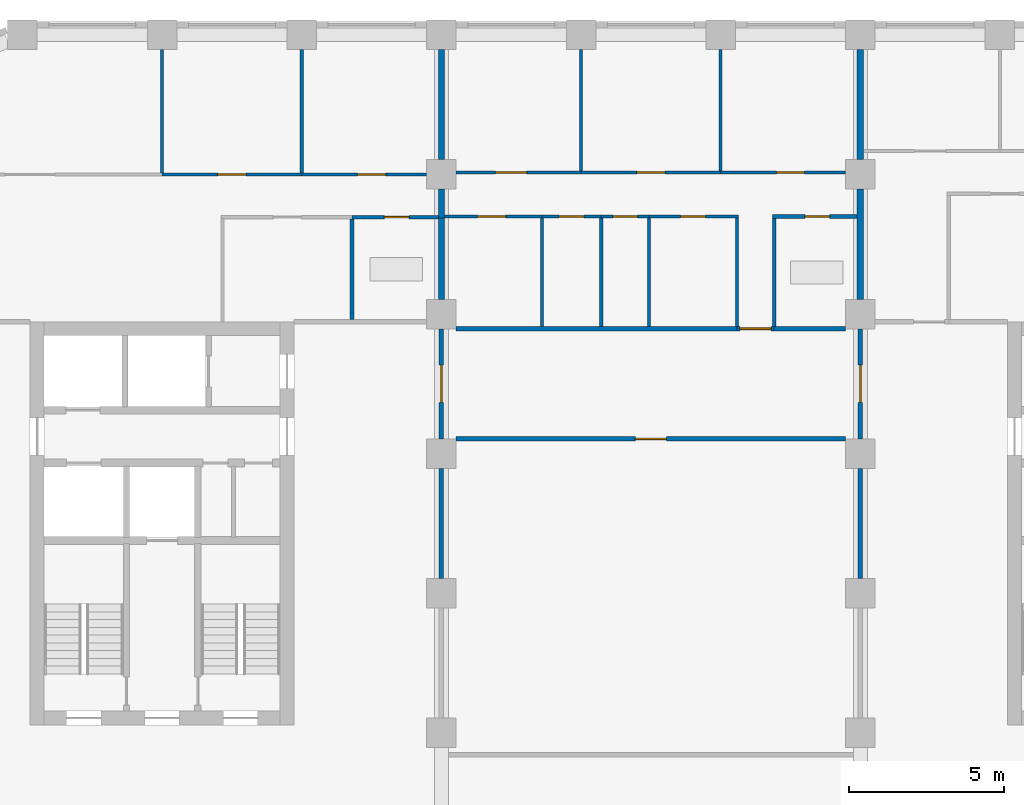
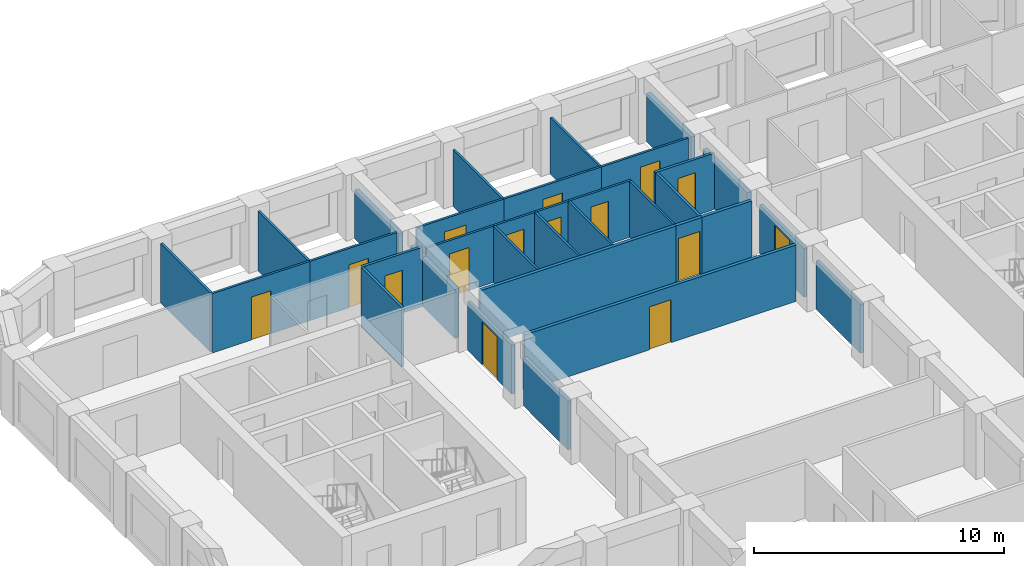
# One storey, part 7 of 13: 34 walls, 15 doors, 15 openings.
"""IFC4 building model written with IfcOpenShell, lengths in metres."""

import ifcopenshell
import ifcopenshell.guid

model = None  # the IFC model being written
_history = None  # IfcOwnerHistory: only IFC2X3 demands one
_inside = {}  # id of a spatial element -> (the spatial element, [elements in it])
_under = {}  # id of a project, library or spatial element -> (it, [spatial elements below it])
_declared = {}  # id of a project -> (the project, [libraries it declares])
_typed = {}  # id of a type object -> (the type object, [elements of that type])
_made_of = {}  # id of a material, layer set ... -> (it, [elements and type objects made of it])


def new_model(schema):
    """Start an empty IFC model of exactly this schema.

    Asked for "IFC4X3", IfcOpenShell would pick the latest addendum, in which some entities
    have other attributes; the version numbers below select the first issue.
    IFC2X3 requires an IfcOwnerHistory on every rooted entity: one is made here for all.
    """
    global model, _history
    if schema == "IFC4X3":
        model = ifcopenshell.file(schema_version=(4, 3, 0, 0))
    else:
        model = ifcopenshell.file(schema=schema)
    _inside.clear()
    _under.clear()
    _declared.clear()
    _typed.clear()
    _made_of.clear()
    _history = None
    if model.schema == "IFC2X3":
        org = make("IfcOrganization", Name="unknown")
        user = make(
            "IfcPersonAndOrganization",
            ThePerson=make("IfcPerson", FamilyName="unknown"),
            TheOrganization=org,
        )
        app = make(
            "IfcApplication",
            ApplicationDeveloper=org,
            Version="unknown",
            ApplicationFullName="unknown",
            ApplicationIdentifier="unknown",
        )
        _history = make(
            "IfcOwnerHistory",
            OwningUser=user,
            OwningApplication=app,
            ChangeAction="ADDED",
            CreationDate=0,
        )
    return model


def make(cls, **values):
    """One entity of the class cls with the attributes given. An attribute that is None is left unset."""
    return model.create_entity(
        cls, **{name: value for name, value in values.items() if value is not None}
    )


def rooted(cls, **values):
    """An entity with a GlobalId (a new one), such as an element, a storey or a relation."""
    return make(cls, GlobalId=ifcopenshell.guid.new(), OwnerHistory=_history, **values)


def si_unit(unit_type, name, prefix=None):
    """IfcSIUnit, for example si_unit("LENGTHUNIT", "METRE", prefix="MILLI")."""
    return make("IfcSIUnit", UnitType=unit_type, Prefix=prefix, Name=name)


def assignment(units):
    """IfcUnitAssignment: the units of a project."""
    return None if units is None else make("IfcUnitAssignment", Units=units)


def point(xyz):
    """IfcCartesianPoint."""
    return None if xyz is None else make("IfcCartesianPoint", Coordinates=xyz)


def direction(xyz):
    """IfcDirection."""
    return None if xyz is None else make("IfcDirection", DirectionRatios=xyz)


def frame(location, z_axis=None, x_axis=None):
    """IfcAxis2Placement3D, a coordinate frame: its origin and axes. An axis left out is left unset."""
    return make(
        "IfcAxis2Placement3D",
        Location=point(location),
        Axis=direction(z_axis),
        RefDirection=direction(x_axis),
    )


def frame_2d(location, x_axis=None):
    """IfcAxis2Placement2D, a coordinate frame in the plane: its origin and x axis."""
    return make(
        "IfcAxis2Placement2D", Location=point(location), RefDirection=direction(x_axis)
    )


def origin():
    """The frame at (0, 0, 0) with its axes left unset."""
    return frame((0.0, 0.0, 0.0))


def place(relative_to, where):
    """IfcLocalPlacement: puts the frame where relative to a parent placement (None: the world)."""
    return make(
        "IfcLocalPlacement", PlacementRelTo=relative_to, RelativePlacement=where
    )


def context(
    kind, dimensions, precision=None, world=None, true_north=None, identifier=None
):
    """IfcGeometricRepresentationContext, for example the 3D "Model" context."""
    return make(
        "IfcGeometricRepresentationContext",
        ContextIdentifier=identifier,
        ContextType=kind,
        CoordinateSpaceDimension=dimensions,
        Precision=precision,
        WorldCoordinateSystem=world,
        TrueNorth=true_north,
    )


def subcontext(parent, identifier, kind, view, scale=None):
    """IfcGeometricRepresentationSubContext, for example "Body" below "Model"."""
    return make(
        "IfcGeometricRepresentationSubContext",
        ContextIdentifier=identifier,
        ContextType=kind,
        ParentContext=parent,
        TargetScale=scale,
        TargetView=view,
    )


def project(units=None, contexts=None):
    """IfcProject with its units and contexts."""
    return rooted(
        "IfcProject",
        Name="project",
        RepresentationContexts=contexts,
        UnitsInContext=assignment(units),
    )


def spatial(cls, under=None, at=None, **own):
    """A site, building, storey or space (cls), placed at a placement, below another one or the project."""
    s = rooted(cls, ObjectPlacement=at, **own)
    if under is not None:
        _under.setdefault(under.id(), (under, []))[1].append(s)
    return s


def profile(cls, at=None, kind="AREA", **sizes):
    """A parametric profile (cls). Its sizes go by their IFC names, for example OverallWidth=200.0."""
    return make(cls, ProfileType=kind, Position=at, **sizes)


def rectangle(**sizes):
    """IfcRectangleProfileDef."""
    return profile("IfcRectangleProfileDef", **sizes)


def extrude(swept, where, along, depth):
    """IfcExtrudedAreaSolid: the profile swept, set in the frame where, extruded along a direction by depth."""
    return make(
        "IfcExtrudedAreaSolid",
        SweptArea=swept,
        Position=where,
        ExtrudedDirection=direction(along),
        Depth=depth,
    )


def shape(context_of_items, identifier, shape_type, items):
    """IfcShapeRepresentation: the items that make up one representation, for example the "Body"."""
    return make(
        "IfcShapeRepresentation",
        ContextOfItems=context_of_items,
        RepresentationIdentifier=identifier,
        RepresentationType=shape_type,
        Items=items,
    )


def material(Name=None, Category=None):
    """IfcMaterial."""
    return make("IfcMaterial", Name=Name, Category=Category)


def layer(
    of_material, thickness, ventilated=None, Name=None, Category=None, Priority=None
):
    """IfcMaterialLayer: one layer of a wall or slab, of a material (None: an air gap)."""
    return make(
        "IfcMaterialLayer",
        Material=of_material,
        LayerThickness=thickness,
        IsVentilated=ventilated,
        Name=Name,
        Category=Category,
        Priority=Priority,
    )


def layer_set(layers, Name=None):
    """IfcMaterialLayerSet."""
    return make("IfcMaterialLayerSet", MaterialLayers=layers, LayerSetName=Name)


def made_of(thing, what):
    """Note that an element or type object is made of a material, layer set ...; save() writes the relation."""
    if what is not None:
        _made_of.setdefault(what.id(), (what, []))[1].append(thing)
    return thing


def type_object(cls, material=None, **own):
    """A type object (cls), such as IfcWallType, which elements share."""
    return made_of(rooted(cls, **own), material)


def element(
    cls,
    number,
    at=None,
    inside=None,
    cuts=None,
    type_object=None,
    material=None,
    context=None,
    identifier="Body",
    shape_type=None,
    held_by="IfcProductDefinitionShape",
    body=None,
    shapes=None,
    **own,
):
    """One element of the class cls, such as IfcWall. Its Tag is "e" and its number.

    at: its placement. inside: the storey or other place that contains it. cuts: it is an
    opening in that element (IfcRelVoidsElement). A single representation is given by context,
    identifier, shape_type and body (its items); several are given by shapes. held_by: the class
    of the entity that holds the representations. save() writes the other relations.
    """
    e = rooted(cls, Tag="e%d" % number, ObjectPlacement=at, **own)
    if body is not None:
        shapes = [shape(context, identifier, shape_type, body)]
    if shapes is not None:
        e.Representation = make(held_by, Representations=shapes)
    if inside is not None:
        _inside.setdefault(inside.id(), (inside, []))[1].append(e)
    if cuts is not None:
        rooted(
            "IfcRelVoidsElement", RelatingBuildingElement=cuts, RelatedOpeningElement=e
        )
    if type_object is not None:
        _typed.setdefault(type_object.id(), (type_object, []))[1].append(e)
    return made_of(e, material)


def fill(opening, filler):
    """IfcRelFillsElement: the door or window that sits in an opening."""
    return rooted(
        "IfcRelFillsElement",
        RelatingOpeningElement=opening,
        RelatedBuildingElement=filler,
    )


def aggregate(whole, parts):
    """IfcRelAggregates: a whole, such as a stair, and the parts it consists of."""
    return rooted("IfcRelAggregates", RelatingObject=whole, RelatedObjects=parts)


def save(model, path):
    """Write the relations noted so far, then the file.

    IfcRelAggregates (storeys below a building ...), IfcRelContainedInSpatialStructure (elements
    in a storey), IfcRelDefinesByType, IfcRelAssociatesMaterial and IfcRelDeclares: one each for
    every whole, place, type object, material and project.
    """
    for whole, parts in _under.values():
        aggregate(whole, parts)
    for where, things in _inside.values():
        rooted(
            "IfcRelContainedInSpatialStructure",
            RelatedElements=things,
            RelatingStructure=where,
        )
    for kind, things in _typed.values():
        rooted("IfcRelDefinesByType", RelatedObjects=things, RelatingType=kind)
    for what, things in _made_of.values():
        rooted("IfcRelAssociatesMaterial", RelatedObjects=things, RelatingMaterial=what)
    for by, libraries in _declared.values():
        rooted("IfcRelDeclares", RelatingContext=by, RelatedDefinitions=libraries)
    model.write(path)


model = new_model("IFC4")

# Units and contexts
model_context = context("Model", 3, precision=1e-05, world=origin(), true_north=direction((0.0, 1.0)))
body_context = subcontext(model_context, "Body", "Model", "MODEL_VIEW")
ifc_project = project(units=[si_unit("LENGTHUNIT", "METRE"), si_unit("AREAUNIT", "SQUARE_METRE"), si_unit("VOLUMEUNIT", "CUBIC_METRE"), si_unit("PLANEANGLEUNIT", "RADIAN"), si_unit("MASSUNIT", "GRAM", prefix="KILO")], contexts=[model_context])

# Site, building, storey
site_placement = place(None, origin())
site = spatial("IfcSite", under=ifc_project, at=site_placement, CompositionType="ELEMENT")
building_placement = place(site_placement, origin())
building = spatial("IfcBuilding", under=site, at=building_placement, Name="Girih Gate Residences", CompositionType="ELEMENT")
storey_placement = place(building_placement, frame((0.0, 0.0, 133.39990234375)))
storey = spatial("IfcBuildingStorey", under=building, at=storey_placement, Name="L37", CompositionType="ELEMENT", Elevation=133.39990234375)

# Wall
ifc_material_1 = material(Name="Gypsum board on steel studs", Category="steel")
ifc_layer_1 = layer(ifc_material_1, 0.14990234375)
ifc_layer_set_1 = layer_set([ifc_layer_1], Name="Compartment wall 150 mm")
wall_type_1 = type_object("IfcWallType", Name="Compartment wall 150 mm", PredefinedType="PARTITIONING", material=ifc_layer_set_1)
wall_1_placement = place(storey_placement, frame((28.72509765625, 40.02490234375, 0.0), z_axis=(0.0, 0.0, 1.0), x_axis=(1.0, 0.0, 0.0)))
element("IfcWall", 1, at=wall_1_placement, inside=storey, type_object=wall_type_1, Name="L37 partition", PredefinedType="PARTITIONING", context=body_context, shape_type="SweptSolid", body=[
    extrude(rectangle(XDim=2.2998046875, YDim=0.14990234375, at=frame_2d((1.14990234375, 0.0))), origin(), (0.0, 0.0, 1.0), 2.75),
])

# Wall, opening, door
wall_2_placement = place(storey_placement, frame((27.52490234375, 40.02490234375, 0.0), z_axis=(0.0, 0.0, 1.0), x_axis=(1.0, 0.0, 0.0)))
wall_2 = element("IfcWall", 2, at=wall_2_placement, inside=storey, type_object=wall_type_1, Name="L37 partition", PredefinedType="PARTITIONING", context=body_context, shape_type="SweptSolid", body=[
    extrude(rectangle(XDim=1.2001953125, YDim=0.14990234375, at=frame_2d((0.60009765625, 0.0))), origin(), (0.0, 0.0, 1.0), 2.75),
])
opening_1_placement = place(wall_2_placement, frame((0.10009765625, 0.0, 0.0)))
opening_1 = element("IfcOpeningElement", 3, at=opening_1_placement, cuts=wall_2, Name="Opening A37-045", PredefinedType="OPENING", context=body_context, shape_type="SweptSolid", body=[
    extrude(rectangle(XDim=1.0, YDim=2.10009765625, at=frame_2d((0.5, 1.050048828125))), frame((0.0, 0.0849609375, 0.0), z_axis=(0.0, -1.0, 0.0), x_axis=(1.0, 0.0, 0.0)), (0.0, 0.0, 1.0), 0.169921875),
])
ifc_material_2 = material(Name="Timber, fire-rated core", Category="wood")
door_type_1 = type_object("IfcDoorType", Name="Flat entrance door 1000x2100 FD30S", OperationType="NOTDEFINED", PredefinedType="DOOR", material=ifc_material_2)
door_1_placement = place(opening_1_placement, origin())
door_1 = element("IfcDoor", 4, at=door_1_placement, inside=storey, type_object=door_type_1, Name="Door A37-045", OperationType="SINGLE_SWING_RIGHT", OverallHeight=2.10009765625, OverallWidth=1.0, PredefinedType="DOOR", context=body_context, shape_type="SweptSolid", body=[
    extrude(rectangle(XDim=1.0, YDim=2.10009765625, at=frame_2d((0.5, 1.050048828125))), frame((0.0, 0.02490234375, 0.0), z_axis=(0.0, -1.0, 0.0), x_axis=(1.0, 0.0, 0.0)), (0.0, 0.0, 1.0), 0.050048828125),
])
fill(opening_1, door_1)

# Wall
wall_3_placement = place(storey_placement, frame((18.47509765625, 40.02490234375, 0.0), z_axis=(0.0, 0.0, 1.0), x_axis=(1.0, 0.0, 0.0)))
element("IfcWall", 5, at=wall_3_placement, inside=storey, type_object=wall_type_1, Name="L37 partition", PredefinedType="PARTITIONING", context=body_context, shape_type="SweptSolid", body=[
    extrude(rectangle(XDim=9.0498046875, YDim=0.14990234375, at=frame_2d((4.52490234375, 0.0))), origin(), (0.0, 0.0, 1.0), 2.75),
])

# Wall, opening, door
wall_4_placement = place(storey_placement, frame((31.02490234375, 36.47509765625, 0.0), z_axis=(0.0, 0.0, 1.0), x_axis=(-1.0, 0.0, 0.0)))
wall_4 = element("IfcWall", 6, at=wall_4_placement, inside=storey, type_object=wall_type_1, Name="L37 partition", PredefinedType="PARTITIONING", context=body_context, shape_type="SweptSolid", body=[
    extrude(rectangle(XDim=12.5498046875, YDim=0.14990234375, at=frame_2d((6.27490234375, 0.0))), origin(), (0.0, 0.0, 1.0), 2.75),
])
opening_2_placement = place(wall_4_placement, frame((5.77490234375, 0.0, 0.0)))
opening_2 = element("IfcOpeningElement", 7, at=opening_2_placement, cuts=wall_4, Name="Opening A37-046", PredefinedType="OPENING", context=body_context, shape_type="SweptSolid", body=[
    extrude(rectangle(XDim=1.0, YDim=2.10009765625, at=frame_2d((0.5, 1.050048828125))), frame((0.0, 0.0849609375, 0.0), z_axis=(0.0, -1.0, 0.0), x_axis=(1.0, 0.0, 0.0)), (0.0, 0.0, 1.0), 0.169921875),
])
door_type_2 = type_object("IfcDoorType", Name="Amenity room door 1000x2100 FD30S", OperationType="NOTDEFINED", PredefinedType="DOOR", material=ifc_material_2)
door_2_placement = place(opening_2_placement, origin())
door_2 = element("IfcDoor", 8, at=door_2_placement, inside=storey, type_object=door_type_2, Name="Door A37-046", OperationType="SINGLE_SWING_RIGHT", OverallHeight=2.10009765625, OverallWidth=1.0, PredefinedType="DOOR", context=body_context, shape_type="SweptSolid", body=[
    extrude(rectangle(XDim=1.0, YDim=2.10009765625, at=frame_2d((0.5, 1.050048828125))), frame((0.0, 0.02490234375, 0.0), z_axis=(0.0, -1.0, 0.0), x_axis=(1.0, 0.0, 0.0)), (0.0, 0.0, 1.0), 0.050048828125),
])
fill(opening_2, door_2)

wall_5_placement = place(storey_placement, frame((31.5, 36.47509765625, 0.0), z_axis=(0.0, 0.0, 1.0), x_axis=(0.0, 1.0, 0.0)))
wall_5 = element("IfcWall", 9, at=wall_5_placement, inside=storey, type_object=wall_type_1, Name="L37 partition", PredefinedType="PARTITIONING", context=body_context, shape_type="SweptSolid", body=[
    extrude(rectangle(XDim=3.5498046875, YDim=0.14990234375, at=frame_2d((1.77490234375, 0.0))), origin(), (0.0, 0.0, 1.0), 2.380126953125),
])
opening_3_placement = place(wall_5_placement, frame((1.175048828125, 0.0, 0.0)))
opening_3 = element("IfcOpeningElement", 10, at=opening_3_placement, cuts=wall_5, Name="Opening A37-047", PredefinedType="OPENING", context=body_context, shape_type="SweptSolid", body=[
    extrude(rectangle(XDim=1.199951171875, YDim=2.10009765625, at=frame_2d((0.60009765625, 1.050048828125))), frame((0.0, 0.0849609375, 0.0), z_axis=(0.0, -1.0, 0.0), x_axis=(1.0, 0.0, 0.0)), (0.0, 0.0, 1.0), 0.169921875),
])
door_type_3 = type_object("IfcDoorType", Name="Corridor fire door 1200x2100 FD30S", OperationType="NOTDEFINED", PredefinedType="DOOR", material=ifc_material_2)
door_3_placement = place(opening_3_placement, origin())
door_3 = element("IfcDoor", 11, at=door_3_placement, inside=storey, type_object=door_type_3, Name="Door A37-047", OperationType="SINGLE_SWING_LEFT", OverallHeight=2.10009765625, OverallWidth=1.199951171875, PredefinedType="DOOR", context=body_context, shape_type="SweptSolid", body=[
    extrude(rectangle(XDim=1.199951171875, YDim=2.10009765625, at=frame_2d((0.60009765625, 1.050048828125))), frame((0.0, 0.02490234375, 0.0), z_axis=(0.0, -1.0, 0.0), x_axis=(1.0, 0.0, 0.0)), (0.0, 0.0, 1.0), 0.050048828125),
])
fill(opening_3, door_3)

wall_6_placement = place(storey_placement, frame((18.0, 40.02490234375, 0.0), z_axis=(0.0, 0.0, 1.0), x_axis=(0.0, -1.0, 0.0)))
wall_6 = element("IfcWall", 12, at=wall_6_placement, inside=storey, type_object=wall_type_1, Name="L37 partition", PredefinedType="PARTITIONING", context=body_context, shape_type="SweptSolid", body=[
    extrude(rectangle(XDim=3.5498046875, YDim=0.14990234375, at=frame_2d((1.77490234375, 0.0))), origin(), (0.0, 0.0, 1.0), 2.380126953125),
])
opening_4_placement = place(wall_6_placement, frame((1.175048828125, 0.0, 0.0)))
opening_4 = element("IfcOpeningElement", 13, at=opening_4_placement, cuts=wall_6, Name="Opening A37-048", PredefinedType="OPENING", context=body_context, shape_type="SweptSolid", body=[
    extrude(rectangle(XDim=1.199951171875, YDim=2.10009765625, at=frame_2d((0.60009765625, 1.050048828125))), frame((0.0, 0.0849609375, 0.0), z_axis=(0.0, -1.0, 0.0), x_axis=(1.0, 0.0, 0.0)), (0.0, 0.0, 1.0), 0.169921875),
])
door_4_placement = place(opening_4_placement, origin())
door_4 = element("IfcDoor", 14, at=door_4_placement, inside=storey, type_object=door_type_3, Name="Door A37-048", OperationType="SINGLE_SWING_LEFT", OverallHeight=2.10009765625, OverallWidth=1.199951171875, PredefinedType="DOOR", context=body_context, shape_type="SweptSolid", body=[
    extrude(rectangle(XDim=1.199951171875, YDim=2.10009765625, at=frame_2d((0.60009765625, 1.050048828125))), frame((0.0, 0.02490234375, 0.0), z_axis=(0.0, -1.0, 0.0), x_axis=(1.0, 0.0, 0.0)), (0.0, 0.0, 1.0), 0.050048828125),
])
fill(opening_4, door_4)

# Walls
for number, where, z_axis, x_axis, name in (
    (15, (31.5, 31.97509765625, 0.0), (0.0, 0.0, 1.0), (0.0, 1.0, 0.0), "L37 partition"),
    (16, (18.0, 31.97509765625, 0.0), (0.0, 0.0, 1.0), (0.0, 1.0, 0.0), "L37 partition"),
):
    element("IfcWall", number, at=place(storey_placement, frame(where, z_axis=z_axis, x_axis=x_axis)), inside=storey, type_object=wall_type_1, Name=name, PredefinedType="PARTITIONING", context=body_context, shape_type="SweptSolid", body=[
        extrude(rectangle(XDim=3.5498046875, YDim=0.14990234375, at=frame_2d((1.77490234375, 0.0))), origin(), (0.0, 0.0, 1.0), 2.380126953125),
    ])
ifc_layer_2 = layer(ifc_material_1, 0.10009765625)
ifc_layer_set_2 = layer_set([ifc_layer_2], Name="Partition 100 mm")
wall_type_2 = type_object("IfcWallType", Name="Partition 100 mm", PredefinedType="PARTITIONING", material=ifc_layer_set_2)
wall_7_placement = place(storey_placement, frame((13.5, 45.050048828125, 0.0), z_axis=(0.0, 0.0, 1.0), x_axis=(0.0, 1.0, 0.0)))
element("IfcWall", 17, at=wall_7_placement, inside=storey, type_object=wall_type_2, Name="L37 partition", PredefinedType="PARTITIONING", context=body_context, shape_type="SweptSolid", body=[
    extrude(rectangle(XDim=3.974853515625, YDim=0.10009765625, at=frame_2d((1.9873046875, 0.0))), origin(), (0.0, 0.0, 1.0), 2.900146484375),
])

# Wall, opening, door
wall_8_placement = place(storey_placement, frame((9.0, 45.0, 0.0), z_axis=(0.0, 0.0, 1.0), x_axis=(1.0, 0.0, 0.0)))
wall_8 = element("IfcWall", 18, at=wall_8_placement, inside=storey, type_object=wall_type_2, Name="L37 partition", PredefinedType="PARTITIONING", context=body_context, shape_type="SweptSolid", body=[
    extrude(rectangle(XDim=4.5, YDim=0.10009765625, at=frame_2d((2.25, 0.0))), origin(), (0.0, 0.0, 1.0), 2.900146484375),
])
opening_5_placement = place(wall_8_placement, frame((1.800048828125, 0.0, 0.0)))
opening_5 = element("IfcOpeningElement", 19, at=opening_5_placement, cuts=wall_8, Name="Opening A37-012", PredefinedType="OPENING", context=body_context, shape_type="SweptSolid", body=[
    extrude(rectangle(XDim=0.89990234375, YDim=2.10009765625, at=frame_2d((0.449951171875, 1.050048828125))), frame((0.0, 0.06005859375, 0.0), z_axis=(0.0, -1.0, 0.0), x_axis=(1.0, 0.0, 0.0)), (0.0, 0.0, 1.0), 0.1201171875),
])
ifc_material_3 = material(Name="Timber", Category="wood")
door_type_4 = type_object("IfcDoorType", Name="Bedroom door 900x2100", OperationType="NOTDEFINED", PredefinedType="DOOR", material=ifc_material_3)
door_5_placement = place(opening_5_placement, origin())
door_5 = element("IfcDoor", 20, at=door_5_placement, inside=storey, type_object=door_type_4, Name="Door A37-012", OperationType="SINGLE_SWING_LEFT", OverallHeight=2.10009765625, OverallWidth=0.89990234375, PredefinedType="DOOR", context=body_context, shape_type="SweptSolid", body=[
    extrude(rectangle(XDim=0.89990234375, YDim=2.10009765625, at=frame_2d((0.449951171875, 1.050048828125))), frame((0.0, 0.02490234375, 0.0), z_axis=(0.0, -1.0, 0.0), x_axis=(1.0, 0.0, 0.0)), (0.0, 0.0, 1.0), 0.050048828125),
])
fill(opening_5, door_5)

# Wall
wall_9_placement = place(storey_placement, frame((9.0, 45.050048828125, 0.0), z_axis=(0.0, 0.0, 1.0), x_axis=(0.0, 1.0, 0.0)))
element("IfcWall", 21, at=wall_9_placement, inside=storey, type_object=wall_type_2, Name="L37 partition", PredefinedType="PARTITIONING", context=body_context, shape_type="SweptSolid", body=[
    extrude(rectangle(XDim=3.974853515625, YDim=0.10009765625, at=frame_2d((1.9873046875, 0.0))), origin(), (0.0, 0.0, 1.0), 2.900146484375),
])

# Wall, opening, door
wall_10_placement = place(storey_placement, frame((13.5, 45.0, 0.0), z_axis=(0.0, 0.0, 1.0), x_axis=(1.0, 0.0, 0.0)))
wall_10 = element("IfcWall", 22, at=wall_10_placement, inside=storey, type_object=wall_type_2, Name="L37 partition", PredefinedType="PARTITIONING", context=body_context, shape_type="SweptSolid", body=[
    extrude(rectangle(XDim=4.02490234375, YDim=0.10009765625, at=frame_2d((2.012451171875, 0.0))), origin(), (0.0, 0.0, 1.0), 2.900146484375),
])
opening_6_placement = place(wall_10_placement, frame((1.800048828125, 0.0, 0.0)))
opening_6 = element("IfcOpeningElement", 23, at=opening_6_placement, cuts=wall_10, Name="Opening A37-013", PredefinedType="OPENING", context=body_context, shape_type="SweptSolid", body=[
    extrude(rectangle(XDim=0.89990234375, YDim=2.10009765625, at=frame_2d((0.449951171875, 1.050048828125))), frame((0.0, 0.06005859375, 0.0), z_axis=(0.0, -1.0, 0.0), x_axis=(1.0, 0.0, 0.0)), (0.0, 0.0, 1.0), 0.1201171875),
])
door_6_placement = place(opening_6_placement, origin())
door_6 = element("IfcDoor", 24, at=door_6_placement, inside=storey, type_object=door_type_4, Name="Door A37-013", OperationType="SINGLE_SWING_RIGHT", OverallHeight=2.10009765625, OverallWidth=0.89990234375, PredefinedType="DOOR", context=body_context, shape_type="SweptSolid", body=[
    extrude(rectangle(XDim=0.89990234375, YDim=2.10009765625, at=frame_2d((0.449951171875, 1.050048828125))), frame((0.0, 0.02490234375, 0.0), z_axis=(0.0, -1.0, 0.0), x_axis=(1.0, 0.0, 0.0)), (0.0, 0.0, 1.0), 0.050048828125),
])
fill(opening_6, door_6)

# Wall
wall_11_placement = place(storey_placement, frame((27.0, 45.114990234375, 0.0), z_axis=(0.0, 0.0, 1.0), x_axis=(0.0, 1.0, 0.0)))
element("IfcWall", 25, at=wall_11_placement, inside=storey, type_object=wall_type_2, Name="L37 partition", PredefinedType="PARTITIONING", context=body_context, shape_type="SweptSolid", body=[
    extrude(rectangle(XDim=3.909912109375, YDim=0.10009765625, at=frame_2d((1.955078125, 0.0))), origin(), (0.0, 0.0, 1.0), 2.75),
])

# Wall, opening, door
wall_12_placement = place(storey_placement, frame((22.5, 45.06494140625, 0.0), z_axis=(0.0, 0.0, 1.0), x_axis=(1.0, 0.0, 0.0)))
wall_12 = element("IfcWall", 26, at=wall_12_placement, inside=storey, type_object=wall_type_2, Name="L37 partition", PredefinedType="PARTITIONING", context=body_context, shape_type="SweptSolid", body=[
    extrude(rectangle(XDim=4.5, YDim=0.10009765625, at=frame_2d((2.25, 0.0))), origin(), (0.0, 0.0, 1.0), 2.75),
])
opening_7_placement = place(wall_12_placement, frame((1.800048828125, 0.0, 0.0)))
opening_7 = element("IfcOpeningElement", 27, at=opening_7_placement, cuts=wall_12, Name="Opening A37-038", PredefinedType="OPENING", context=body_context, shape_type="SweptSolid", body=[
    extrude(rectangle(XDim=0.89990234375, YDim=2.10009765625, at=frame_2d((0.449951171875, 1.050048828125))), frame((0.0, 0.06005859375, 0.0), z_axis=(0.0, -1.0, 0.0), x_axis=(1.0, 0.0, 0.0)), (0.0, 0.0, 1.0), 0.1201171875),
])
door_7_placement = place(opening_7_placement, origin())
door_7 = element("IfcDoor", 28, at=door_7_placement, inside=storey, type_object=door_type_4, Name="Door A37-038", OperationType="SINGLE_SWING_LEFT", OverallHeight=2.10009765625, OverallWidth=0.89990234375, PredefinedType="DOOR", context=body_context, shape_type="SweptSolid", body=[
    extrude(rectangle(XDim=0.89990234375, YDim=2.10009765625, at=frame_2d((0.449951171875, 1.050048828125))), frame((0.0, 0.02490234375, 0.0), z_axis=(0.0, -1.0, 0.0), x_axis=(1.0, 0.0, 0.0)), (0.0, 0.0, 1.0), 0.050048828125),
])
fill(opening_7, door_7)

# Wall
wall_13_placement = place(storey_placement, frame((22.5, 45.114990234375, 0.0), z_axis=(0.0, 0.0, 1.0), x_axis=(0.0, 1.0, 0.0)))
element("IfcWall", 29, at=wall_13_placement, inside=storey, type_object=wall_type_2, Name="L37 partition", PredefinedType="PARTITIONING", context=body_context, shape_type="SweptSolid", body=[
    extrude(rectangle(XDim=3.909912109375, YDim=0.10009765625, at=frame_2d((1.955078125, 0.0))), origin(), (0.0, 0.0, 1.0), 2.75),
])

# Wall, opening, door
wall_14_placement = place(storey_placement, frame((27.0, 45.06494140625, 0.0), z_axis=(0.0, 0.0, 1.0), x_axis=(1.0, 0.0, 0.0)))
wall_14 = element("IfcWall", 30, at=wall_14_placement, inside=storey, type_object=wall_type_2, Name="L37 partition", PredefinedType="PARTITIONING", context=body_context, shape_type="SweptSolid", body=[
    extrude(rectangle(XDim=4.02490234375, YDim=0.10009765625, at=frame_2d((2.012451171875, 0.0))), origin(), (0.0, 0.0, 1.0), 2.75),
])
opening_8_placement = place(wall_14_placement, frame((1.800048828125, 0.0, 0.0)))
opening_8 = element("IfcOpeningElement", 31, at=opening_8_placement, cuts=wall_14, Name="Opening A37-039", PredefinedType="OPENING", context=body_context, shape_type="SweptSolid", body=[
    extrude(rectangle(XDim=0.89990234375, YDim=2.10009765625, at=frame_2d((0.449951171875, 1.050048828125))), frame((0.0, 0.06005859375, 0.0), z_axis=(0.0, -1.0, 0.0), x_axis=(1.0, 0.0, 0.0)), (0.0, 0.0, 1.0), 0.1201171875),
])
door_8_placement = place(opening_8_placement, origin())
door_8 = element("IfcDoor", 32, at=door_8_placement, inside=storey, type_object=door_type_4, Name="Door A37-039", OperationType="SINGLE_SWING_RIGHT", OverallHeight=2.10009765625, OverallWidth=0.89990234375, PredefinedType="DOOR", context=body_context, shape_type="SweptSolid", body=[
    extrude(rectangle(XDim=0.89990234375, YDim=2.10009765625, at=frame_2d((0.449951171875, 1.050048828125))), frame((0.0, 0.02490234375, 0.0), z_axis=(0.0, -1.0, 0.0), x_axis=(1.0, 0.0, 0.0)), (0.0, 0.0, 1.0), 0.050048828125),
])
fill(opening_8, door_8)

wall_15_placement = place(storey_placement, frame((27.574951171875, 43.64501953125, 0.0), z_axis=(0.0, 0.0, 1.0), x_axis=(-1.0, 0.0, 0.0)))
wall_15 = element("IfcWall", 33, at=wall_15_placement, inside=storey, type_object=wall_type_2, Name="L37 partition", PredefinedType="PARTITIONING", context=body_context, shape_type="SweptSolid", body=[
    extrude(rectangle(XDim=2.881103515625, YDim=0.10009765625, at=frame_2d((1.4404296875, 0.0))), origin(), (0.0, 0.0, 1.0), 2.75),
])
opening_9_placement = place(wall_15_placement, frame((1.065673828125, 0.0, 0.0)))
opening_9 = element("IfcOpeningElement", 34, at=opening_9_placement, cuts=wall_15, Name="Opening A37-040", PredefinedType="OPENING", context=body_context, shape_type="SweptSolid", body=[
    extrude(rectangle(XDim=0.800048828125, YDim=2.10009765625, at=frame_2d((0.39990234375, 1.050048828125))), frame((0.0, 0.06005859375, 0.0), z_axis=(0.0, -1.0, 0.0), x_axis=(1.0, 0.0, 0.0)), (0.0, 0.0, 1.0), 0.1201171875),
])
door_type_5 = type_object("IfcDoorType", Name="Store door 800x2100", OperationType="NOTDEFINED", PredefinedType="DOOR", material=ifc_material_3)
door_9_placement = place(opening_9_placement, origin())
door_9 = element("IfcDoor", 35, at=door_9_placement, inside=storey, type_object=door_type_5, Name="Door A37-040", OperationType="SINGLE_SWING_RIGHT", OverallHeight=2.10009765625, OverallWidth=0.800048828125, PredefinedType="DOOR", context=body_context, shape_type="SweptSolid", body=[
    extrude(rectangle(XDim=0.800048828125, YDim=2.10009765625, at=frame_2d((0.39990234375, 1.050048828125))), frame((0.0, 0.02490234375, 0.0), z_axis=(0.0, -1.0, 0.0), x_axis=(1.0, 0.0, 0.0)), (0.0, 0.0, 1.0), 0.050048828125),
])
fill(opening_9, door_9)

# Walls
for number, where, z_axis, x_axis, name in (
    (36, (27.52490234375, 40.10009765625, 0.0), (0.0, 0.0, 1.0), (0.0, 1.0, 0.0), "L37 partition"),
    (37, (24.694091796875, 40.10009765625, 0.0), (0.0, 0.0, 1.0), (0.0, 1.0, 0.0), "L37 partition"),
):
    element("IfcWall", number, at=place(storey_placement, frame(where, z_axis=z_axis, x_axis=x_axis)), inside=storey, type_object=wall_type_2, Name=name, PredefinedType="PARTITIONING", context=body_context, shape_type="SweptSolid", body=[
        extrude(rectangle(XDim=3.494873046875, YDim=0.10009765625, at=frame_2d((1.74755859375, 0.0))), origin(), (0.0, 0.0, 1.0), 2.75),
    ])

# Wall, opening, door
wall_16_placement = place(storey_placement, frame((21.23974609375, 43.64501953125, 0.0), z_axis=(0.0, 0.0, 1.0), x_axis=(-1.0, 0.0, 0.0)))
wall_16 = element("IfcWall", 38, at=wall_16_placement, inside=storey, type_object=wall_type_2, Name="L37 partition", PredefinedType="PARTITIONING", context=body_context, shape_type="SweptSolid", body=[
    extrude(rectangle(XDim=3.1396484375, YDim=0.10009765625, at=frame_2d((1.56982421875, 0.0))), origin(), (0.0, 0.0, 1.0), 2.75),
])
opening_10_placement = place(wall_16_placement, frame((1.169921875, 0.0, 0.0)))
opening_10 = element("IfcOpeningElement", 39, at=opening_10_placement, cuts=wall_16, Name="Opening A37-041", PredefinedType="OPENING", context=body_context, shape_type="SweptSolid", body=[
    extrude(rectangle(XDim=0.89990234375, YDim=2.10009765625, at=frame_2d((0.449951171875, 1.050048828125))), frame((0.0, 0.06005859375, 0.0), z_axis=(0.0, -1.0, 0.0), x_axis=(1.0, 0.0, 0.0)), (0.0, 0.0, 1.0), 0.1201171875),
])
door_type_6 = type_object("IfcDoorType", Name="Kitchen door 900x2100", OperationType="NOTDEFINED", PredefinedType="DOOR", material=ifc_material_3)
door_10_placement = place(opening_10_placement, origin())
door_10 = element("IfcDoor", 40, at=door_10_placement, inside=storey, type_object=door_type_6, Name="Door A37-041", OperationType="SINGLE_SWING_RIGHT", OverallHeight=2.10009765625, OverallWidth=0.89990234375, PredefinedType="DOOR", context=body_context, shape_type="SweptSolid", body=[
    extrude(rectangle(XDim=0.89990234375, YDim=2.10009765625, at=frame_2d((0.449951171875, 1.050048828125))), frame((0.0, 0.02490234375, 0.0), z_axis=(0.0, -1.0, 0.0), x_axis=(1.0, 0.0, 0.0)), (0.0, 0.0, 1.0), 0.050048828125),
])
fill(opening_10, door_10)

wall_17_placement = place(storey_placement, frame((18.47509765625, 45.06494140625, 0.0), z_axis=(0.0, 0.0, 1.0), x_axis=(1.0, 0.0, 0.0)))
wall_17 = element("IfcWall", 41, at=wall_17_placement, inside=storey, type_object=wall_type_2, Name="L37 partition", PredefinedType="PARTITIONING", context=body_context, shape_type="SweptSolid", body=[
    extrude(rectangle(XDim=4.02490234375, YDim=0.10009765625, at=frame_2d((2.012451171875, 0.0))), origin(), (0.0, 0.0, 1.0), 2.75),
])
opening_11_placement = place(wall_17_placement, frame((1.27490234375, 0.0, 0.0)))
opening_11 = element("IfcOpeningElement", 42, at=opening_11_placement, cuts=wall_17, Name="Opening A37-042", PredefinedType="OPENING", context=body_context, shape_type="SweptSolid", body=[
    extrude(rectangle(XDim=1.0, YDim=2.10009765625, at=frame_2d((0.5, 1.050048828125))), frame((0.0, 0.06005859375, 0.0), z_axis=(0.0, -1.0, 0.0), x_axis=(1.0, 0.0, 0.0)), (0.0, 0.0, 1.0), 0.1201171875),
])
door_type_7 = type_object("IfcDoorType", Name="Living room door 1000x2100", OperationType="NOTDEFINED", PredefinedType="DOOR", material=ifc_material_3)
door_11_placement = place(opening_11_placement, origin())
door_11 = element("IfcDoor", 43, at=door_11_placement, inside=storey, type_object=door_type_7, Name="Door A37-042", OperationType="SINGLE_SWING_LEFT", OverallHeight=2.10009765625, OverallWidth=1.0, PredefinedType="DOOR", context=body_context, shape_type="SweptSolid", body=[
    extrude(rectangle(XDim=1.0, YDim=2.10009765625, at=frame_2d((0.5, 1.050048828125))), frame((0.0, 0.02490234375, 0.0), z_axis=(0.0, -1.0, 0.0), x_axis=(1.0, 0.0, 0.0)), (0.0, 0.0, 1.0), 0.050048828125),
])
fill(opening_11, door_11)

wall_18_placement = place(storey_placement, frame((24.69384765625, 43.64501953125, 0.0), z_axis=(0.0, 0.0, 1.0), x_axis=(-1.0, 0.0, 0.0)))
wall_18 = element("IfcWall", 44, at=wall_18_placement, inside=storey, type_object=wall_type_2, Name="L37 partition", PredefinedType="PARTITIONING", context=body_context, shape_type="SweptSolid", body=[
    extrude(rectangle(XDim=1.5439453125, YDim=0.10009765625, at=frame_2d((0.77197265625, 0.0))), origin(), (0.0, 0.0, 1.0), 2.75),
])
opening_12_placement = place(wall_18_placement, frame((0.3720703125, 0.0, 0.0)))
opening_12 = element("IfcOpeningElement", 45, at=opening_12_placement, cuts=wall_18, Name="Opening A37-043", PredefinedType="OPENING", context=body_context, shape_type="SweptSolid", body=[
    extrude(rectangle(XDim=0.800048828125, YDim=2.10009765625, at=frame_2d((0.39990234375, 1.050048828125))), frame((0.0, 0.06005859375, 0.0), z_axis=(0.0, -1.0, 0.0), x_axis=(1.0, 0.0, 0.0)), (0.0, 0.0, 1.0), 0.1201171875),
])
door_12_placement = place(opening_12_placement, origin())
door_12 = element("IfcDoor", 46, at=door_12_placement, inside=storey, type_object=door_type_5, Name="Door A37-043", OperationType="SINGLE_SWING_LEFT", OverallHeight=2.10009765625, OverallWidth=0.800048828125, PredefinedType="DOOR", context=body_context, shape_type="SweptSolid", body=[
    extrude(rectangle(XDim=0.800048828125, YDim=2.10009765625, at=frame_2d((0.39990234375, 1.050048828125))), frame((0.0, 0.02490234375, 0.0), z_axis=(0.0, -1.0, 0.0), x_axis=(1.0, 0.0, 0.0)), (0.0, 0.0, 1.0), 0.050048828125),
])
fill(opening_12, door_12)

wall_19_placement = place(storey_placement, frame((23.14990234375, 43.64501953125, 0.0), z_axis=(0.0, 0.0, 1.0), x_axis=(-1.0, 0.0, 0.0)))
wall_19 = element("IfcWall", 47, at=wall_19_placement, inside=storey, type_object=wall_type_2, Name="L37 partition", PredefinedType="PARTITIONING", context=body_context, shape_type="SweptSolid", body=[
    extrude(rectangle(XDim=1.91015625, YDim=0.10009765625, at=frame_2d((0.955078125, 0.0))), origin(), (0.0, 0.0, 1.0), 2.75),
])
opening_13_placement = place(wall_19_placement, frame((0.554931640625, 0.0, 0.0)))
opening_13 = element("IfcOpeningElement", 48, at=opening_13_placement, cuts=wall_19, Name="Opening A37-044", PredefinedType="OPENING", context=body_context, shape_type="SweptSolid", body=[
    extrude(rectangle(XDim=0.800048828125, YDim=2.10009765625, at=frame_2d((0.39990234375, 1.050048828125))), frame((0.0, 0.06005859375, 0.0), z_axis=(0.0, -1.0, 0.0), x_axis=(1.0, 0.0, 0.0)), (0.0, 0.0, 1.0), 0.1201171875),
])
door_13_placement = place(opening_13_placement, origin())
door_13 = element("IfcDoor", 49, at=door_13_placement, inside=storey, type_object=door_type_5, Name="Door A37-044", OperationType="SINGLE_SWING_LEFT", OverallHeight=2.10009765625, OverallWidth=0.800048828125, PredefinedType="DOOR", context=body_context, shape_type="SweptSolid", body=[
    extrude(rectangle(XDim=0.800048828125, YDim=2.10009765625, at=frame_2d((0.39990234375, 1.050048828125))), frame((0.0, 0.02490234375, 0.0), z_axis=(0.0, -1.0, 0.0), x_axis=(1.0, 0.0, 0.0)), (0.0, 0.0, 1.0), 0.050048828125),
])
fill(opening_13, door_13)

# Walls
for number, where, z_axis, x_axis, name in (
    (50, (21.239990234375, 40.10009765625, 0.0), (0.0, 0.0, 1.0), (0.0, 1.0, 0.0), "L37 partition"),
    (51, (23.14990234375, 40.10009765625, 0.0), (0.0, 0.0, 1.0), (0.0, 1.0, 0.0), "L37 partition"),
):
    element("IfcWall", number, at=place(storey_placement, frame(where, z_axis=z_axis, x_axis=x_axis)), inside=storey, type_object=wall_type_2, Name=name, PredefinedType="PARTITIONING", context=body_context, shape_type="SweptSolid", body=[
        extrude(rectangle(XDim=3.494873046875, YDim=0.10009765625, at=frame_2d((1.74755859375, 0.0))), origin(), (0.0, 0.0, 1.0), 2.75),
    ])
ifc_layer_3 = layer(ifc_material_1, 0.199951171875)
ifc_layer_set_3 = layer_set([ifc_layer_3], Name="Party wall 200 mm")
wall_type_3 = type_object("IfcWallType", Name="Party wall 200 mm", PredefinedType="PARTITIONING", material=ifc_layer_set_3)
wall_20_placement = place(storey_placement, frame((18.0, 40.97509765625, 0.0), z_axis=(0.0, 0.0, 1.0), x_axis=(0.0, 1.0, 0.0)))
element("IfcWall", 52, at=wall_20_placement, inside=storey, type_object=wall_type_3, Name="L37 partition", PredefinedType="PARTITIONING", context=body_context, shape_type="SweptSolid", body=[
    extrude(rectangle(XDim=2.70751953125, YDim=0.199951171875, at=frame_2d((1.353759765625, 0.0))), origin(), (0.0, 0.0, 1.0), 2.380126953125),
])
wall_21_placement = place(storey_placement, frame((18.0, 45.47509765625, 0.0), z_axis=(0.0, 0.0, 1.0), x_axis=(0.0, 1.0, 0.0)))
element("IfcWall", 53, at=wall_21_placement, inside=storey, type_object=wall_type_3, Name="L37 partition", PredefinedType="PARTITIONING", context=body_context, shape_type="SweptSolid", body=[
    extrude(rectangle(XDim=3.5498046875, YDim=0.199951171875, at=frame_2d((1.77490234375, 0.0))), origin(), (0.0, 0.0, 1.0), 2.380126953125),
])
wall_22_placement = place(storey_placement, frame((18.0, 43.594970703125, 0.0), z_axis=(0.0, 0.0, 1.0), x_axis=(0.0, 1.0, 0.0)))
element("IfcWall", 54, at=wall_22_placement, inside=storey, type_object=wall_type_3, Name="L37 partition", PredefinedType="PARTITIONING", context=body_context, shape_type="SweptSolid", body=[
    extrude(rectangle(XDim=0.929931640625, YDim=0.199951171875, at=frame_2d((0.46484375, 0.0))), origin(), (0.0, 0.0, 1.0), 2.380126953125),
])
for number, where, z_axis, x_axis, name in (
    (55, (31.5, 40.97509765625, 0.0), (0.0, 0.0, 1.0), (0.0, 1.0, 0.0), "L37 partition"),
    (56, (31.5, 45.47509765625, 0.0), (0.0, 0.0, 1.0), (0.0, 1.0, 0.0), "L37 partition"),
):
    element("IfcWall", number, at=place(storey_placement, frame(where, z_axis=z_axis, x_axis=x_axis)), inside=storey, type_object=wall_type_3, Name=name, PredefinedType="PARTITIONING", context=body_context, shape_type="SweptSolid", body=[
        extrude(rectangle(XDim=3.5498046875, YDim=0.199951171875, at=frame_2d((1.77490234375, 0.0))), origin(), (0.0, 0.0, 1.0), 2.380126953125),
    ])

# Wall, opening, door
ifc_layer_4 = layer(ifc_material_1, 0.125)
ifc_layer_set_4 = layer_set([ifc_layer_4], Name="Wet room wall 125 mm")
wall_type_4 = type_object("IfcWallType", Name="Wet room wall 125 mm", PredefinedType="PARTITIONING", material=ifc_layer_set_4)
wall_23_placement = place(storey_placement, frame((17.89990234375, 43.6201171875, 0.0), z_axis=(0.0, 0.0, 1.0), x_axis=(-1.0, 0.0, 0.0)))
wall_23 = element("IfcWall", 57, at=wall_23_placement, inside=storey, type_object=wall_type_4, Name="L37 partition", PredefinedType="PARTITIONING", context=body_context, shape_type="SweptSolid", body=[
    extrude(rectangle(XDim=2.780517578125, YDim=0.125, at=frame_2d((1.39013671875, 0.0))), origin(), (0.0, 0.0, 1.0), 2.900146484375),
])
opening_14_placement = place(wall_23_placement, frame((0.940185546875, 0.0, 0.0)))
opening_14 = element("IfcOpeningElement", 58, at=opening_14_placement, cuts=wall_23, Name="Opening A37-011", PredefinedType="OPENING", context=body_context, shape_type="SweptSolid", body=[
    extrude(rectangle(XDim=0.800048828125, YDim=2.10009765625, at=frame_2d((0.39990234375, 1.050048828125))), frame((0.0, 0.072509765625, 0.0), z_axis=(0.0, -1.0, 0.0), x_axis=(1.0, 0.0, 0.0)), (0.0, 0.0, 1.0), 0.14501953125),
])
door_type_8 = type_object("IfcDoorType", Name="Bathroom door 800x2100", OperationType="NOTDEFINED", PredefinedType="DOOR", material=ifc_material_3)
door_14_placement = place(opening_14_placement, origin())
door_14 = element("IfcDoor", 59, at=door_14_placement, inside=storey, type_object=door_type_8, Name="Door A37-011", OperationType="SINGLE_SWING_LEFT", OverallHeight=2.10009765625, OverallWidth=0.800048828125, PredefinedType="DOOR", context=body_context, shape_type="SweptSolid", body=[
    extrude(rectangle(XDim=0.800048828125, YDim=2.10009765625, at=frame_2d((0.39990234375, 1.050048828125))), frame((0.0, 0.02490234375, 0.0), z_axis=(0.0, -1.0, 0.0), x_axis=(1.0, 0.0, 0.0)), (0.0, 0.0, 1.0), 0.050048828125),
])
fill(opening_14, door_14)

# Walls
wall_24_placement = place(storey_placement, frame((15.118896484375, 40.324951171875, 0.0), z_axis=(0.0, 0.0, 1.0), x_axis=(0.0, 1.0, 0.0)))
element("IfcWall", 60, at=wall_24_placement, inside=storey, type_object=wall_type_4, Name="L37 partition", PredefinedType="PARTITIONING", context=body_context, shape_type="SweptSolid", body=[
    extrude(rectangle(XDim=3.232666015625, YDim=0.125, at=frame_2d((1.6162109375, 0.0))), origin(), (0.0, 0.0, 1.0), 2.900146484375),
])
wall_25_placement = place(storey_placement, frame((28.72509765625, 40.10009765625, 0.0), z_axis=(0.0, 0.0, 1.0), x_axis=(0.0, 1.0, 0.0)))
element("IfcWall", 61, at=wall_25_placement, inside=storey, type_object=wall_type_4, Name="L37 partition", PredefinedType="PARTITIONING", context=body_context, shape_type="SweptSolid", body=[
    extrude(rectangle(XDim=3.482421875, YDim=0.125, at=frame_2d((1.7412109375, 0.0))), origin(), (0.0, 0.0, 1.0), 2.75),
])

# Wall, opening, door
wall_26_placement = place(storey_placement, frame((31.39990234375, 43.64501953125, 0.0), z_axis=(0.0, 0.0, 1.0), x_axis=(-1.0, 0.0, 0.0)))
wall_26 = element("IfcWall", 62, at=wall_26_placement, inside=storey, type_object=wall_type_4, Name="L37 partition", PredefinedType="PARTITIONING", context=body_context, shape_type="SweptSolid", body=[
    extrude(rectangle(XDim=2.7373046875, YDim=0.125, at=frame_2d((1.36865234375, 0.0))), origin(), (0.0, 0.0, 1.0), 2.75),
])
opening_15_placement = place(wall_26_placement, frame((0.887451171875, 0.0, 0.0)))
opening_15 = element("IfcOpeningElement", 63, at=opening_15_placement, cuts=wall_26, Name="Opening A37-037", PredefinedType="OPENING", context=body_context, shape_type="SweptSolid", body=[
    extrude(rectangle(XDim=0.800048828125, YDim=2.10009765625, at=frame_2d((0.39990234375, 1.050048828125))), frame((0.0, 0.072509765625, 0.0), z_axis=(0.0, -1.0, 0.0), x_axis=(1.0, 0.0, 0.0)), (0.0, 0.0, 1.0), 0.14501953125),
])
door_15_placement = place(opening_15_placement, origin())
door_15 = element("IfcDoor", 64, at=door_15_placement, inside=storey, type_object=door_type_8, Name="Door A37-037", OperationType="SINGLE_SWING_LEFT", OverallHeight=2.10009765625, OverallWidth=0.800048828125, PredefinedType="DOOR", context=body_context, shape_type="SweptSolid", body=[
    extrude(rectangle(XDim=0.800048828125, YDim=2.10009765625, at=frame_2d((0.39990234375, 1.050048828125))), frame((0.0, 0.02490234375, 0.0), z_axis=(0.0, -1.0, 0.0), x_axis=(1.0, 0.0, 0.0)), (0.0, 0.0, 1.0), 0.050048828125),
])
fill(opening_15, door_15)

save(model, "model.ifc")
